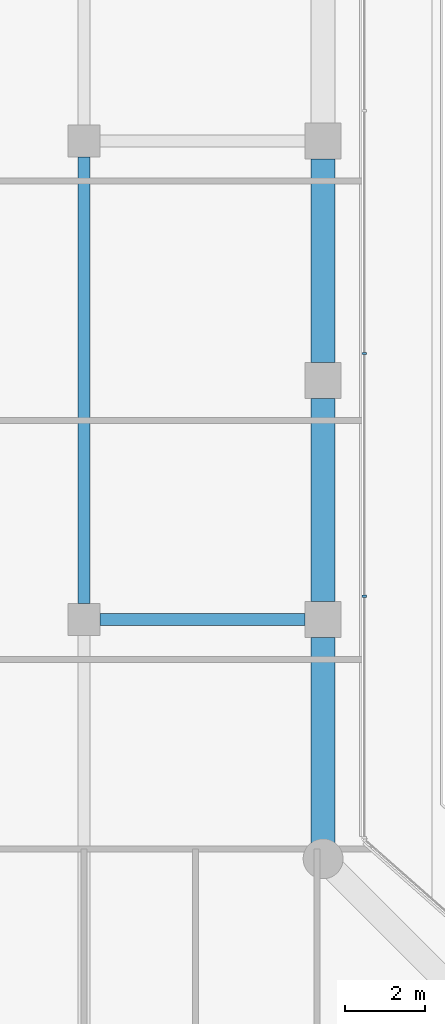
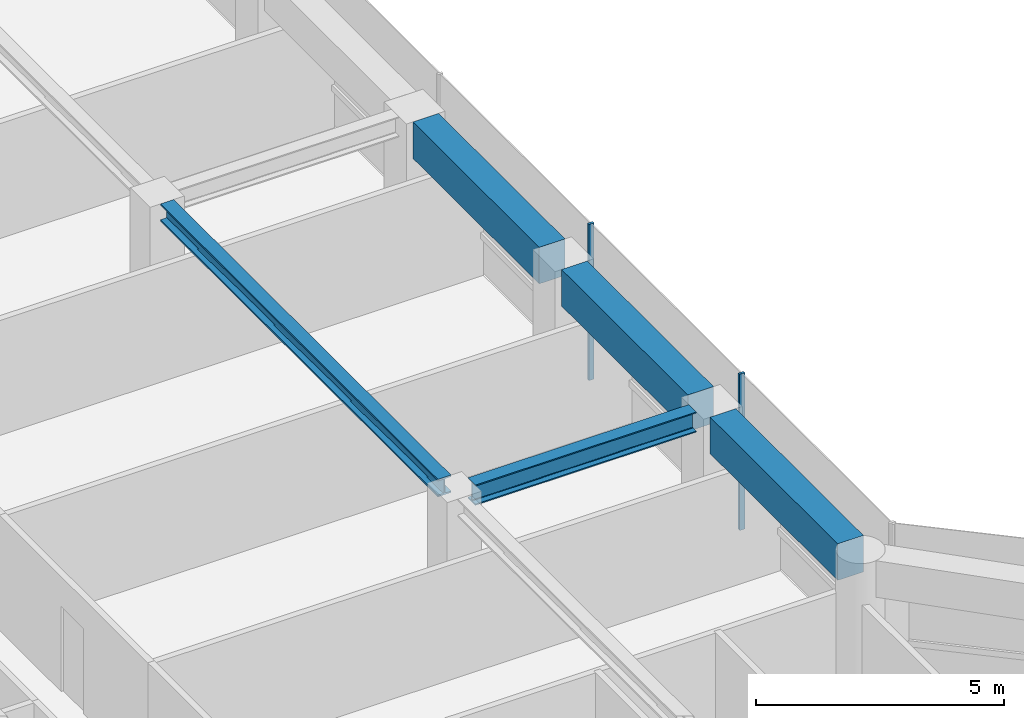
# One storey, part 11 of 23: 5 beams, 2 members, 1 element without a shape of its own.
"""IFC4 building model written with IfcOpenShell, lengths in metres."""

from ifc_helpers import new_model, si_unit, direction, frame, origin, origin_2d, place, context, subcontext, project, spatial, rectangle, i_section, extrude, material, layer, layer_set, material_profile, profile_set, type_object, element, aggregate, save


model = new_model("IFC4")

# Units and contexts
model_context = context("Model", 3, precision=1e-05, world=origin(), true_north=direction((0.0, 1.0)))
body_context = subcontext(model_context, "Body", "Model", "MODEL_VIEW")
ifc_project = project(units=[si_unit("LENGTHUNIT", "METRE"), si_unit("AREAUNIT", "SQUARE_METRE"), si_unit("VOLUMEUNIT", "CUBIC_METRE"), si_unit("PLANEANGLEUNIT", "RADIAN"), si_unit("MASSUNIT", "GRAM", prefix="KILO")], contexts=[model_context])

# Site, building, storey
site_placement = place(None, origin())
site = spatial("IfcSite", under=ifc_project, at=site_placement, CompositionType="ELEMENT")
building_placement = place(site_placement, origin())
building = spatial("IfcBuilding", under=site, at=building_placement, Name="Welwitschia Terrace Campus", CompositionType="ELEMENT")
storey_placement = place(building_placement, frame((0.0, 0.0, 96.199951171875)))
storey = spatial("IfcBuildingStorey", under=building, at=storey_placement, Name="L21", CompositionType="ELEMENT", Elevation=96.199951171875)

# Beam
ifc_material_1 = material(Name="Steel S355", Category="steel")
ifc_material_profile_1 = material_profile(ifc_material_1, i_section(OverallWidth=0.306884765625, OverallDepth=0.431884765625, WebThickness=0.02099609375, FlangeThickness=0.0400390625, FilletRadius=0.027099609375, at=origin_2d()))
ifc_profile_set_1 = profile_set([ifc_material_profile_1], Name="Steel S355")
beam_type_1 = type_object("IfcBeamType", Name="Interior girder HE 400 M", PredefinedType="BEAM", material=ifc_profile_set_1)
beam_1_placement = place(storey_placement, frame((18.0, 40.400390625, 3.634033203125), z_axis=(0.0, 1.0, 0.0), x_axis=(-1.0, 0.0, 0.0)))
element("IfcBeam", 1, at=beam_1_placement, inside=storey, type_object=beam_type_1, Name="Girder GB3", PredefinedType="BEAM", context=body_context, shape_type="SweptSolid", body=[
    extrude(i_section(OverallWidth=0.306884765625, OverallDepth=0.431884765625, WebThickness=0.02099609375, FlangeThickness=0.0400390625, FilletRadius=0.027099609375, at=origin_2d()), origin(), (0.0, 0.0, 1.0), 11.19921875),
])

# Curtain wall, members
ifc_material_2 = material(Name="Bronze anodised aluminium", Category="aluminium")
ifc_layer = layer(ifc_material_2, 0.1201171875)
ifc_layer_set = layer_set([ifc_layer], Name="Bronze anodised aluminium")
curtain_wall_type = type_object("IfcCurtainWallType", Name="Curtain wall CW2 tower 6000", PredefinedType="NOTDEFINED", material=ifc_layer_set)
curtain_wall_placement = place(storey_placement, origin())
curtain_wall = element("IfcCurtainWall", 2, at=curtain_wall_placement, inside=storey, type_object=curtain_wall_type, Name="CW L21.8.0", PredefinedType="NOTDEFINED")
ifc_material_3 = material(Name="Bronze anodised aluminium", Category="aluminium")
ifc_material_profile_2 = material_profile(ifc_material_3, rectangle(XDim=0.1201171875, YDim=0.06005859375, at=origin_2d()))
ifc_profile_set_2 = profile_set([ifc_material_profile_2], Name="Bronze anodised aluminium")
member_type = type_object("IfcMemberType", Name="Mullion 60x120", PredefinedType="MULLION", material=ifc_profile_set_2)
member_1_placement = place(storey_placement, frame((25.030029296875, 40.58544921875, 0.0), z_axis=(0.0, 0.0, 1.0), x_axis=(-1.0, 0.0, 0.0)))
member_1 = element("IfcMember", 3, at=member_1_placement, type_object=member_type, Name="Mullion L21.8.0.1", PredefinedType="MULLION", context=body_context, shape_type="SweptSolid", body=[
    extrude(rectangle(XDim=0.1201171875, YDim=0.06005859375, at=origin_2d()), origin(), (0.0, 0.0, 1.0), 3.85009765625),
])
member_2_placement = place(storey_placement, frame((25.030029296875, 46.67431640625, 0.0), z_axis=(0.0, 0.0, 1.0), x_axis=(-1.0, 0.0, 0.0)))
member_2 = element("IfcMember", 4, at=member_2_placement, type_object=member_type, Name="Mullion L21.8.0.2", PredefinedType="MULLION", context=body_context, shape_type="SweptSolid", body=[
    extrude(rectangle(XDim=0.1201171875, YDim=0.06005859375, at=origin_2d()), origin(), (0.0, 0.0, 1.0), 3.85009765625),
])
aggregate(curtain_wall, [member_1, member_2])

# Beams
ifc_material_4 = material(Name="Steel S355", Category="steel")
ifc_material_profile_3 = material_profile(ifc_material_4, i_section(OverallWidth=0.300048828125, OverallDepth=0.5, WebThickness=0.014404296875, FlangeThickness=0.028076171875, FilletRadius=0.027099609375, at=origin_2d()))
ifc_profile_set_3 = profile_set([ifc_material_profile_3], Name="Steel S355")
beam_type_2 = type_object("IfcBeamType", Name="Primary beam HE 500 B", PredefinedType="BEAM", material=ifc_profile_set_3)
beam_2_placement = place(storey_placement, frame((23.549560546875, 40.0, 3.60009765625), z_axis=(-1.0, 0.0, 0.0), x_axis=(0.0, -1.0, 0.0)))
element("IfcBeam", 5, at=beam_2_placement, inside=storey, type_object=beam_type_2, Name="Primary beam PB3", PredefinedType="BEAM", context=body_context, shape_type="SweptSolid", body=[
    extrude(i_section(OverallWidth=0.300048828125, OverallDepth=0.5, WebThickness=0.014404296875, FlangeThickness=0.028076171875, FilletRadius=0.027099609375, at=origin_2d()), origin(), (0.0, 0.0, 1.0), 5.149169921875),
])
ifc_material_5 = material(Name="Concrete C60/75", Category="concrete")
ifc_material_profile_4 = material_profile(ifc_material_5, rectangle(XDim=0.60009765625, YDim=0.89990234375, at=origin_2d()))
ifc_profile_set_4 = profile_set([ifc_material_profile_4], Name="Concrete C60/75")
beam_type_3 = type_object("IfcBeamType", Name="Ring spandrel 600x900", PredefinedType="SPANDREL", material=ifc_profile_set_4)
beam_3_placement = place(storey_placement, frame((24.0, 34.400390625, 3.400146484375), z_axis=(0.0, 1.0, 0.0), x_axis=(-1.0, 0.0, 0.0)))
element("IfcBeam", 6, at=beam_3_placement, inside=storey, type_object=beam_type_3, Name="Spandrel SP2", PredefinedType="SPANDREL", context=body_context, shape_type="SweptSolid", body=[
    extrude(rectangle(XDim=0.60009765625, YDim=0.89990234375, at=origin_2d()), origin(), (0.0, 0.0, 1.0), 5.149169921875),
])
for number, where, z_axis, x_axis, name in (
    (7, (24.0, 40.450439453125, 3.400146484375), (0.0, 1.0, 0.0), (-1.0, 0.0, 0.0), "Spandrel SP2"),
    (8, (24.0, 46.450439453125, 3.400146484375), (0.0, 1.0, 0.0), (-1.0, 0.0, 0.0), "Spandrel SP2"),
):
    element("IfcBeam", number, at=place(storey_placement, frame(where, z_axis=z_axis, x_axis=x_axis)), inside=storey, type_object=beam_type_3, Name=name, PredefinedType="SPANDREL", context=body_context, shape_type="SweptSolid", body=[
        extrude(rectangle(XDim=0.60009765625, YDim=0.89990234375, at=origin_2d()), origin(), (0.0, 0.0, 1.0), 5.09912109375),
    ])

save(model, "model.ifc")
